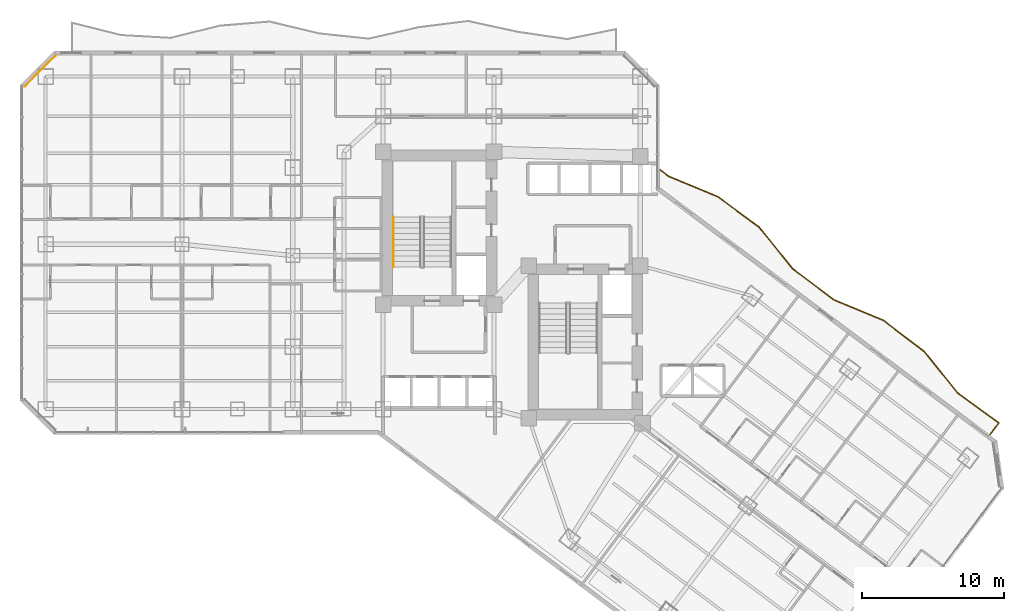
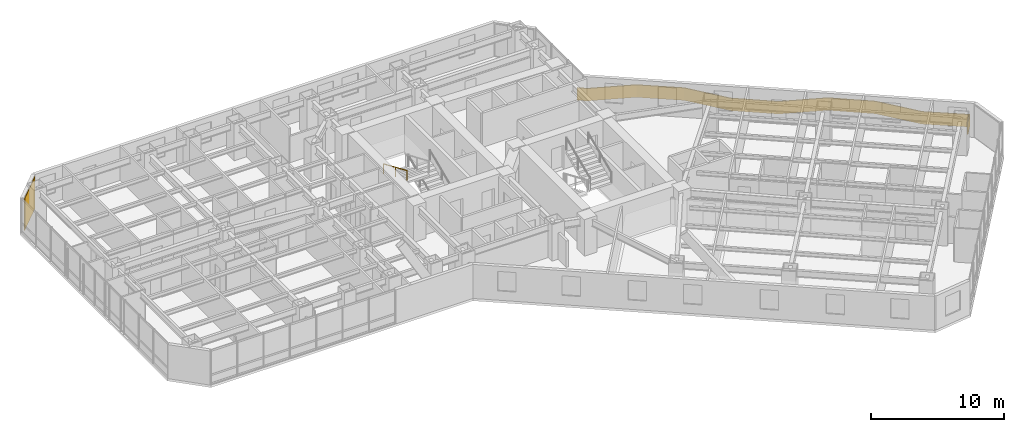
# One storey, part 30 of 32: 2 railings, 1 covering.
"""IFC4 building model written with IfcOpenShell, lengths in metres."""

from ifc_helpers import new_model, si_unit, direction, frame, origin, origin_2d, place, context, subcontext, project, spatial, polyline, rectangle, circle, outline, extrude, material, layer, layer_set, type_object, element, save


model = new_model("IFC4")

# Units and contexts
model_context = context("Model", 3, precision=1e-05, world=origin(), true_north=direction((0.0, 1.0)))
body_context = subcontext(model_context, "Body", "Model", "MODEL_VIEW")
ifc_project = project(units=[si_unit("LENGTHUNIT", "METRE"), si_unit("AREAUNIT", "SQUARE_METRE"), si_unit("VOLUMEUNIT", "CUBIC_METRE"), si_unit("PLANEANGLEUNIT", "RADIAN"), si_unit("MASSUNIT", "GRAM", prefix="KILO")], contexts=[model_context])

# Site, building, storey
site_placement = place(None, origin())
site = spatial("IfcSite", under=ifc_project, at=site_placement, CompositionType="ELEMENT")
building_placement = place(site_placement, origin())
building = spatial("IfcBuilding", under=site, at=building_placement, Name="Hatsunagi Terrace Concourse", CompositionType="ELEMENT")
storey_placement = place(building_placement, frame((0.0, 0.0, 46.64990234375)))
storey = spatial("IfcBuildingStorey", under=building, at=storey_placement, Name="L11", CompositionType="ELEMENT", Elevation=46.64990234375)

# Railings
ifc_material_1 = material(Name="Laminated Glass and Stainless Steel Guard", Category="steel")
ifc_layer_1 = layer(ifc_material_1, 0.070068359375)
ifc_layer_set_1 = layer_set([ifc_layer_1], Name="BalconyGlassGuardRail_1150")
railing_type_1 = type_object("IfcRailingType", Name="BalconyGlassGuardRail_1150", PredefinedType="BALUSTRADE", material=ifc_layer_set_1)
railing_1_placement = place(storey_placement, origin())
element("IfcRailing", 1, at=railing_1_placement, inside=storey, type_object=railing_type_1, Name="Engawa Balcony Guard GRD-01 L11-BSE-1", PredefinedType="BALUSTRADE", context=body_context, shape_type="SweptSolid", body=[
    extrude(outline(polyline([(45.0673828125, 42.07763671875), (45.024658203125, 42.022216796875), (45.623291015625, 41.55859375), (49.085693359375, 40.1171875), (51.99365234375, 37.9755859375), (54.344482421875, 35.0556640625), (57.265380859375, 32.8583984375), (60.728515625, 31.41943359375), (63.603515625, 29.234619140625), (65.95556640625, 26.3134765625), (68.832763671875, 24.216552734375), (68.241943359375, 23.430908203125), (68.298095703125, 23.388916015625), (68.931396484375, 24.2314453125), (66.00439453125, 26.364501953125), (63.652587890625, 29.285400390625), (60.763671875, 31.480712890625), (57.300537109375, 32.919677734375), (54.3935546875, 35.106201171875), (52.04248046875, 38.026611328125), (49.120361328125, 40.1787109375), (45.65869140625, 41.619384765625), (45.0673828125, 42.07763671875)])), origin(), (0.0, 0.0, 1.0), 1.150146484375),
])
ifc_material_2 = material(Name="Stainless steel", Category="steel")
ifc_layer_2 = layer(ifc_material_2, 0.044921875)
ifc_layer_set_2 = layer_set([ifc_layer_2], Name="StairPitchHandrail_Tower2000")
railing_type_2 = type_object("IfcRailingType", Name="StairPitchHandrail_Tower2000", PredefinedType="HANDRAIL", material=ifc_layer_set_2)
railing_2_placement = place(storey_placement, frame((26.280029296875, 38.7099609375, 1.842529296875)))
element("IfcRailing", 2, at=railing_2_placement, inside=storey, type_object=railing_type_2, Name="L11 ST-A stair handrail 2", PredefinedType="HANDRAIL", context=body_context, shape_type="SweptSolid", body=[
    extrude(circle(Radius=0.02392578125, at=origin_2d()), frame((0.0, 0.0, 0.8759765625), z_axis=(0.0, -0.918834009242, 0.394644223904), x_axis=(1.0, 0.0, 0.0)), (0.0, 0.0, 1.0), 3.820068359375),
    extrude(circle(Radius=0.02099609375, at=origin_2d()), origin(), (0.0, 0.0, 1.0), 0.851806640625),
    extrude(circle(Radius=0.02099609375, at=origin_2d()), frame((0.0, -1.7548828125, 0.75390625)), (0.0, 0.0, 1.0), 0.851806640625),
    extrude(circle(Radius=0.02099609375, at=origin_2d()), frame((0.0, -3.510009765625, 1.507568359375)), (0.0, 0.0, 1.0), 0.851806640625),
])

# Covering
ifc_material_3 = material(Name="Unglazed Warm Terracotta Rainscreen Tile", Category="masonry")
ifc_layer_3 = layer(ifc_material_3, 0.044921875)
ifc_layer_set_3 = layer_set([ifc_layer_3], Name="TerracottaRainscreenCladding_45")
covering_type = type_object("IfcCoveringType", Name="TerracottaRainscreenCladding_45", PredefinedType="CLADDING", material=ifc_layer_set_3)
covering_placement = place(storey_placement, frame((1.4140625, 48.986083984375, 0.10009765625), z_axis=(0.0, 0.0, 1.0), x_axis=(0.707106781187, 0.707106781187, 0.0)))
element("IfcCovering", 3, at=covering_placement, inside=storey, type_object=covering_type, Name="Terracotta Rainscreen Cladding L11-10", PredefinedType="CLADDING", context=body_context, shape_type="SweptSolid", body=[
    extrude(rectangle(XDim=3.0380859375, YDim=0.044921875, at=origin_2d()), origin(), (0.0, 0.0, 1.0), 2.929931640625),
])

save(model, "model.ifc")
